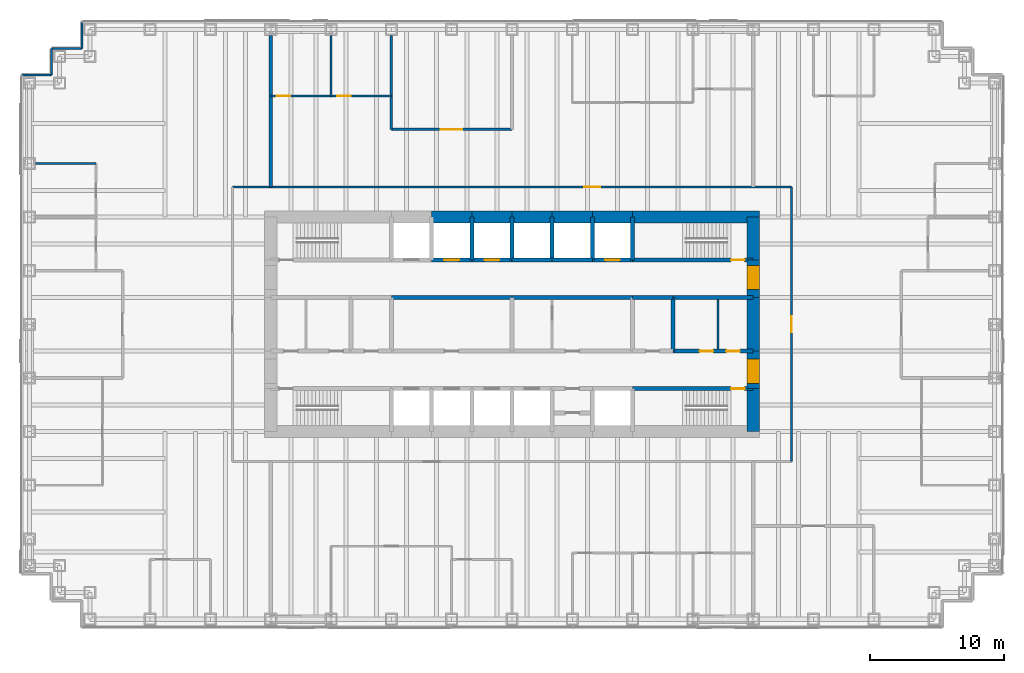
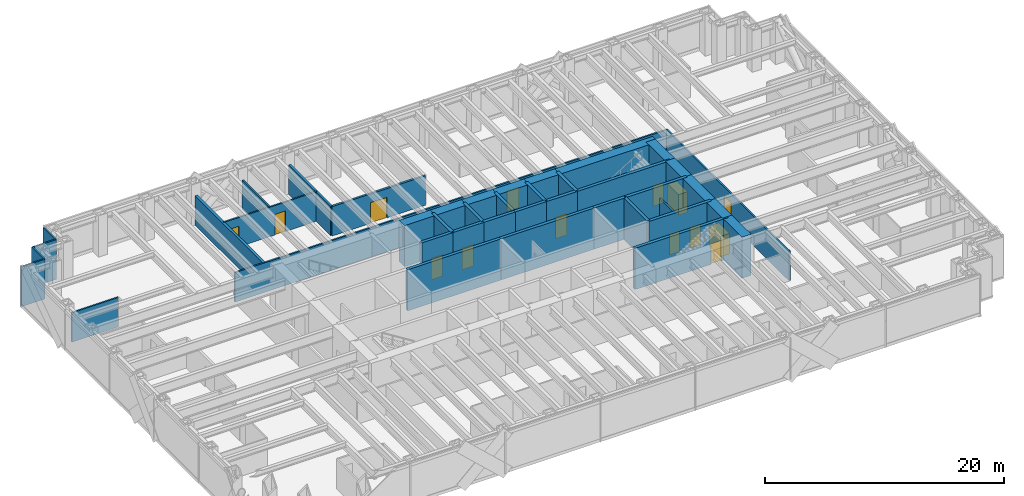
# One storey, part 15 of 17: 42 walls, 14 doors, 14 openings.
"""IFC4 building model written with IfcOpenShell, lengths in metres."""

from ifc_helpers import new_model, si_unit, direction, frame, frame_2d, origin, place, context, subcontext, project, spatial, rectangle, extrude, material, layer, layer_set, type_object, element, fill, save


model = new_model("IFC4")

# Units and contexts
model_context = context("Model", 3, precision=1e-05, world=origin(), true_north=direction((0.0, 1.0)))
body_context = subcontext(model_context, "Body", "Model", "MODEL_VIEW")
ifc_project = project(units=[si_unit("LENGTHUNIT", "METRE"), si_unit("AREAUNIT", "SQUARE_METRE"), si_unit("VOLUMEUNIT", "CUBIC_METRE"), si_unit("PLANEANGLEUNIT", "RADIAN"), si_unit("MASSUNIT", "GRAM", prefix="KILO")], contexts=[model_context])

# Site, building, storey
site_placement = place(None, origin())
site = spatial("IfcSite", under=ifc_project, at=site_placement, CompositionType="ELEMENT")
building_placement = place(site_placement, origin())
building = spatial("IfcBuilding", under=site, at=building_placement, Name="Rheinbord Bourse Tower", CompositionType="ELEMENT")
storey_placement = place(building_placement, frame((0.0, 0.0, 138.300048828125)))
storey = spatial("IfcBuildingStorey", under=building, at=storey_placement, Name="L30", CompositionType="ELEMENT", Elevation=138.300048828125)

# Wall, opening, door
ifc_material_1 = material(Name="Acoustic gypsum board partition", Category="gypsum board")
ifc_layer_1 = layer(ifc_material_1, 0.199951171875)
ifc_layer_set_1 = layer_set([ifc_layer_1], Name="ACOUSTIC PARTITION 200")
wall_type_1 = type_object("IfcWallType", Name="ACOUSTIC PARTITION 200", PredefinedType="PARTITIONING", material=ifc_layer_set_1)
wall_1_placement = place(storey_placement, frame((27.0, 38.550048828125, 0.0), z_axis=(0.0, 0.0, 1.0), x_axis=(1.0, 0.0, 0.0)))
wall_1 = element("IfcWall", 1, at=wall_1_placement, inside=storey, type_object=wall_type_1, Name="Partition L30-18", PredefinedType="PARTITIONING", context=body_context, shape_type="SweptSolid", body=[
    extrude(rectangle(XDim=9.0, YDim=0.199951171875, at=frame_2d((4.5, 0.0))), origin(), (0.0, 0.0, 1.0), 3.0),
])
opening_1_placement = place(wall_1_placement, frame((3.699951171875, 0.0, 0.0)))
opening_1 = element("IfcOpeningElement", 2, at=opening_1_placement, cuts=wall_1, Name="Opening 30D16", PredefinedType="OPENING", context=body_context, shape_type="SweptSolid", body=[
    extrude(rectangle(XDim=1.60009765625, YDim=2.10009765625, at=frame_2d((0.800048828125, 1.050048828125))), frame((0.0, 0.10986328125, 0.0), z_axis=(0.0, -1.0, 0.0), x_axis=(1.0, 0.0, 0.0)), (0.0, 0.0, 1.0), 0.219970703125),
])
ifc_material_2 = material(Name="Timber door", Category="wood")
door_type_1 = type_object("IfcDoorType", Name="DOUBLE ROOM DOOR 1600", OperationType="DOUBLE_DOOR_DOUBLE_SWING", PredefinedType="DOOR", material=ifc_material_2)
door_1_placement = place(opening_1_placement, origin())
door_1 = element("IfcDoor", 3, at=door_1_placement, inside=storey, type_object=door_type_1, Name="Suite boardroom door L30", OperationType="SINGLE_SWING_LEFT", OverallHeight=2.10009765625, OverallWidth=1.60009765625, PredefinedType="DOOR", context=body_context, shape_type="SweptSolid", body=[
    extrude(rectangle(XDim=1.60009765625, YDim=2.10009765625, at=frame_2d((0.800048828125, 1.050048828125))), frame((0.0, 0.02490234375, 0.0), z_axis=(0.0, -1.0, 0.0), x_axis=(1.0, 0.0, 0.0)), (0.0, 0.0, 1.0), 0.050048828125),
])
fill(opening_1, door_1)

# Wall
wall_2_placement = place(storey_placement, frame((27.0, 38.550048828125, 0.0), z_axis=(0.0, 0.0, 1.0), x_axis=(0.0, 1.0, 0.0)))
element("IfcWall", 4, at=wall_2_placement, inside=storey, type_object=wall_type_1, Name="Partition L30-33", PredefinedType="PARTITIONING", context=body_context, shape_type="SweptSolid", body=[
    extrude(rectangle(XDim=7.0, YDim=0.199951171875, at=frame_2d((3.5, 0.0))), origin(), (0.0, 0.0, 1.0), 3.0),
])

# Wall, opening, door
ifc_material_3 = material(Name="Concrete C50/60", Category="concrete")
ifc_layer_2 = layer(ifc_material_3, 0.300048828125)
ifc_layer_set_2 = layer_set([ifc_layer_2], Name="CORE INNER WALL 300")
wall_type_2 = type_object("IfcWallType", Name="CORE INNER WALL 300", PredefinedType="SOLIDWALL", material=ifc_layer_set_2)
wall_3_placement = place(storey_placement, frame((45.0, 19.199951171875, 0.0), z_axis=(0.0, 0.0, 1.0), x_axis=(1.0, 0.0, 0.0)))
wall_3 = element("IfcWall", 5, at=wall_3_placement, inside=storey, type_object=wall_type_2, Name="Core wall A8 L30", PredefinedType="SOLIDWALL", context=body_context, shape_type="SweptSolid", body=[
    extrude(rectangle(XDim=9.0, YDim=0.300048828125, at=frame_2d((4.5, 0.0))), origin(), (0.0, 0.0, 1.0), 4.199951171875),
])
opening_2_placement = place(wall_3_placement, frame((7.35009765625, 0.0, 0.0)))
opening_2 = element("IfcOpeningElement", 6, at=opening_2_placement, cuts=wall_3, Name="Opening 3030", PredefinedType="OPENING", context=body_context, shape_type="SweptSolid", body=[
    extrude(rectangle(XDim=1.0, YDim=2.10009765625, at=frame_2d((0.5, 1.050048828125))), frame((0.0, 0.159912109375, 0.0), z_axis=(0.0, -1.0, 0.0), x_axis=(1.0, 0.0, 0.0)), (0.0, 0.0, 1.0), 0.320068359375),
])
ifc_material_4 = material(Name="Steel door", Category="steel")
door_type_2 = type_object("IfcDoorType", Name="DOOR 1000 EI30", OperationType="SINGLE_SWING_LEFT", PredefinedType="DOOR", material=ifc_material_4)
door_2_placement = place(opening_2_placement, origin())
door_2 = element("IfcDoor", 7, at=door_2_placement, inside=storey, type_object=door_type_2, Name="Stair door ST3 L30", OperationType="SINGLE_SWING_RIGHT", OverallHeight=2.10009765625, OverallWidth=1.0, PredefinedType="DOOR", context=body_context, shape_type="SweptSolid", body=[
    extrude(rectangle(XDim=1.0, YDim=2.10009765625, at=frame_2d((0.5, 1.050048828125))), frame((0.0, 0.02490234375, 0.0), z_axis=(0.0, -1.0, 0.0), x_axis=(1.0, 0.0, 0.0)), (0.0, 0.0, 1.0), 0.050048828125),
])
fill(opening_2, door_2)

wall_4_placement = place(storey_placement, frame((30.0, 28.800048828125, 0.0), z_axis=(0.0, 0.0, 1.0), x_axis=(1.0, 0.0, 0.0)))
wall_4 = element("IfcWall", 8, at=wall_4_placement, inside=storey, type_object=wall_type_2, Name="Core wall B3 L30", PredefinedType="SOLIDWALL", context=body_context, shape_type="SweptSolid", body=[
    extrude(rectangle(XDim=3.0, YDim=0.300048828125, at=frame_2d((1.5, 0.0))), origin(), (0.0, 0.0, 1.0), 4.199951171875),
])
opening_3_placement = place(wall_4_placement, frame((0.949951171875, 0.0, 0.0)))
opening_3 = element("IfcOpeningElement", 9, at=opening_3_placement, cuts=wall_4, Name="Opening PB4", PredefinedType="OPENING", context=body_context, shape_type="SweptSolid", body=[
    extrude(rectangle(XDim=1.10009765625, YDim=2.199951171875, at=frame_2d((0.550048828125, 1.10009765625))), frame((0.0, 0.159912109375, 0.0), z_axis=(0.0, -1.0, 0.0), x_axis=(1.0, 0.0, 0.0)), (0.0, 0.0, 1.0), 0.320068359375),
])
ifc_material_5 = material(Name="Steel landing door", Category="steel")
door_type_3 = type_object("IfcDoorType", Name="LIFT LANDING DOOR 1100", OperationType="DOUBLE_DOOR_SLIDING", PredefinedType="USERDEFINED", material=ifc_material_5)
door_3_placement = place(opening_3_placement, origin())
door_3 = element("IfcDoor", 10, at=door_3_placement, inside=storey, type_object=door_type_3, Name="Lift landing door PB4 L30", ObjectType="LIFT LANDING DOOR", OperationType="DOUBLE_DOOR_SLIDING", OverallHeight=2.199951171875, OverallWidth=1.10009765625, PredefinedType="USERDEFINED", context=body_context, shape_type="SweptSolid", body=[
    extrude(rectangle(XDim=1.10009765625, YDim=2.199951171875, at=frame_2d((0.550048828125, 1.10009765625))), frame((0.0, 0.02490234375, 0.0), z_axis=(0.0, -1.0, 0.0), x_axis=(1.0, 0.0, 0.0)), (0.0, 0.0, 1.0), 0.050048828125),
])
fill(opening_3, door_3)

wall_5_placement = place(storey_placement, frame((33.0, 28.800048828125, 0.0), z_axis=(0.0, 0.0, 1.0), x_axis=(1.0, 0.0, 0.0)))
wall_5 = element("IfcWall", 11, at=wall_5_placement, inside=storey, type_object=wall_type_2, Name="Core wall B4 L30", PredefinedType="SOLIDWALL", context=body_context, shape_type="SweptSolid", body=[
    extrude(rectangle(XDim=3.0, YDim=0.300048828125, at=frame_2d((1.5, 0.0))), origin(), (0.0, 0.0, 1.0), 4.199951171875),
])
opening_4_placement = place(wall_5_placement, frame((0.949951171875, 0.0, 0.0)))
opening_4 = element("IfcOpeningElement", 12, at=opening_4_placement, cuts=wall_5, Name="Opening PB5", PredefinedType="OPENING", context=body_context, shape_type="SweptSolid", body=[
    extrude(rectangle(XDim=1.10009765625, YDim=2.199951171875, at=frame_2d((0.550048828125, 1.10009765625))), frame((0.0, 0.159912109375, 0.0), z_axis=(0.0, -1.0, 0.0), x_axis=(1.0, 0.0, 0.0)), (0.0, 0.0, 1.0), 0.320068359375),
])
door_4_placement = place(opening_4_placement, origin())
door_4 = element("IfcDoor", 13, at=door_4_placement, inside=storey, type_object=door_type_3, Name="Lift landing door PB5 L30", ObjectType="LIFT LANDING DOOR", OperationType="DOUBLE_DOOR_SLIDING", OverallHeight=2.199951171875, OverallWidth=1.10009765625, PredefinedType="USERDEFINED", context=body_context, shape_type="SweptSolid", body=[
    extrude(rectangle(XDim=1.10009765625, YDim=2.199951171875, at=frame_2d((0.550048828125, 1.10009765625))), frame((0.0, 0.02490234375, 0.0), z_axis=(0.0, -1.0, 0.0), x_axis=(1.0, 0.0, 0.0)), (0.0, 0.0, 1.0), 0.050048828125),
])
fill(opening_4, door_4)

# Walls
for number, where, z_axis, x_axis, name in (
    (14, (36.0, 28.800048828125, 0.0), (0.0, 0.0, 1.0), (1.0, 0.0, 0.0), "Core wall B5 L30"),
    (15, (39.0, 28.800048828125, 0.0), (0.0, 0.0, 1.0), (1.0, 0.0, 0.0), "Core wall B6 L30"),
):
    element("IfcWall", number, at=place(storey_placement, frame(where, z_axis=z_axis, x_axis=x_axis)), inside=storey, type_object=wall_type_2, Name=name, PredefinedType="SOLIDWALL", context=body_context, shape_type="SweptSolid", body=[
        extrude(rectangle(XDim=3.0, YDim=0.300048828125, at=frame_2d((1.5, 0.0))), origin(), (0.0, 0.0, 1.0), 4.199951171875),
    ])

# Wall, opening, door
wall_6_placement = place(storey_placement, frame((42.0, 28.800048828125, 0.0), z_axis=(0.0, 0.0, 1.0), x_axis=(1.0, 0.0, 0.0)))
wall_6 = element("IfcWall", 16, at=wall_6_placement, inside=storey, type_object=wall_type_2, Name="Core wall B7 L30", PredefinedType="SOLIDWALL", context=body_context, shape_type="SweptSolid", body=[
    extrude(rectangle(XDim=3.0, YDim=0.300048828125, at=frame_2d((1.5, 0.0))), origin(), (0.0, 0.0, 1.0), 4.199951171875),
])
opening_5_placement = place(wall_6_placement, frame((0.949951171875, 0.0, 0.0)))
opening_5 = element("IfcOpeningElement", 17, at=opening_5_placement, cuts=wall_6, Name="Opening FL2", PredefinedType="OPENING", context=body_context, shape_type="SweptSolid", body=[
    extrude(rectangle(XDim=1.10009765625, YDim=2.199951171875, at=frame_2d((0.550048828125, 1.10009765625))), frame((0.0, 0.159912109375, 0.0), z_axis=(0.0, -1.0, 0.0), x_axis=(1.0, 0.0, 0.0)), (0.0, 0.0, 1.0), 0.320068359375),
])
door_5_placement = place(opening_5_placement, origin())
door_5 = element("IfcDoor", 18, at=door_5_placement, inside=storey, type_object=door_type_3, Name="Lift landing door FL2 L30", ObjectType="LIFT LANDING DOOR", OperationType="DOUBLE_DOOR_SLIDING", OverallHeight=2.199951171875, OverallWidth=1.10009765625, PredefinedType="USERDEFINED", context=body_context, shape_type="SweptSolid", body=[
    extrude(rectangle(XDim=1.10009765625, YDim=2.199951171875, at=frame_2d((0.550048828125, 1.10009765625))), frame((0.0, 0.02490234375, 0.0), z_axis=(0.0, -1.0, 0.0), x_axis=(1.0, 0.0, 0.0)), (0.0, 0.0, 1.0), 0.050048828125),
])
fill(opening_5, door_5)

wall_7_placement = place(storey_placement, frame((45.0, 28.800048828125, 0.0), z_axis=(0.0, 0.0, 1.0), x_axis=(1.0, 0.0, 0.0)))
wall_7 = element("IfcWall", 19, at=wall_7_placement, inside=storey, type_object=wall_type_2, Name="Core wall B8 L30", PredefinedType="SOLIDWALL", context=body_context, shape_type="SweptSolid", body=[
    extrude(rectangle(XDim=9.0, YDim=0.300048828125, at=frame_2d((4.5, 0.0))), origin(), (0.0, 0.0, 1.0), 4.199951171875),
])
opening_6_placement = place(wall_7_placement, frame((7.35009765625, 0.0, 0.0)))
opening_6 = element("IfcOpeningElement", 20, at=opening_6_placement, cuts=wall_7, Name="Opening 3040", PredefinedType="OPENING", context=body_context, shape_type="SweptSolid", body=[
    extrude(rectangle(XDim=1.0, YDim=2.10009765625, at=frame_2d((0.5, 1.050048828125))), frame((0.0, 0.159912109375, 0.0), z_axis=(0.0, -1.0, 0.0), x_axis=(1.0, 0.0, 0.0)), (0.0, 0.0, 1.0), 0.320068359375),
])
door_6_placement = place(opening_6_placement, origin())
door_6 = element("IfcDoor", 21, at=door_6_placement, inside=storey, type_object=door_type_2, Name="Stair door ST4 L30", OperationType="SINGLE_SWING_RIGHT", OverallHeight=2.10009765625, OverallWidth=1.0, PredefinedType="DOOR", context=body_context, shape_type="SweptSolid", body=[
    extrude(rectangle(XDim=1.0, YDim=2.10009765625, at=frame_2d((0.5, 1.050048828125))), frame((0.0, 0.02490234375, 0.0), z_axis=(0.0, -1.0, 0.0), x_axis=(1.0, 0.0, 0.0)), (0.0, 0.0, 1.0), 0.050048828125),
])
fill(opening_6, door_6)

# Wall, openings, doors
wall_8_placement = place(storey_placement, frame((48.0, 22.0, 0.0), z_axis=(0.0, 0.0, 1.0), x_axis=(1.0, 0.0, 0.0)))
wall_8 = element("IfcWall", 22, at=wall_8_placement, inside=storey, type_object=wall_type_2, Name="Core wall C6 L30", PredefinedType="SOLIDWALL", context=body_context, shape_type="SweptSolid", body=[
    extrude(rectangle(XDim=6.0, YDim=0.300048828125, at=frame_2d((3.0, 0.0))), origin(), (0.0, 0.0, 1.0), 4.199951171875),
])
opening_7_placement = place(wall_8_placement, frame((2.0, 0.0, 0.0)))
opening_7 = element("IfcOpeningElement", 23, at=opening_7_placement, cuts=wall_8, Name="Opening 30R6", PredefinedType="OPENING", context=body_context, shape_type="SweptSolid", body=[
    extrude(rectangle(XDim=1.0, YDim=2.10009765625, at=frame_2d((0.5, 1.050048828125))), frame((0.0, 0.159912109375, 0.0), z_axis=(0.0, -1.0, 0.0), x_axis=(1.0, 0.0, 0.0)), (0.0, 0.0, 1.0), 0.320068359375),
])
opening_8_placement = place(wall_8_placement, frame((4.0, 0.0, 0.0)))
opening_8 = element("IfcOpeningElement", 24, at=opening_8_placement, cuts=wall_8, Name="Opening 30R10", PredefinedType="OPENING", context=body_context, shape_type="SweptSolid", body=[
    extrude(rectangle(XDim=1.0, YDim=2.10009765625, at=frame_2d((0.5, 1.050048828125))), frame((0.0, 0.159912109375, 0.0), z_axis=(0.0, -1.0, 0.0), x_axis=(1.0, 0.0, 0.0)), (0.0, 0.0, 1.0), 0.320068359375),
])
door_7_placement = place(opening_8_placement, origin())
door_7 = element("IfcDoor", 25, at=door_7_placement, inside=storey, type_object=door_type_2, Name="Staff shower door L30", OperationType="SINGLE_SWING_RIGHT", OverallHeight=2.10009765625, OverallWidth=1.0, PredefinedType="DOOR", context=body_context, shape_type="SweptSolid", body=[
    extrude(rectangle(XDim=1.0, YDim=2.10009765625, at=frame_2d((0.5, 1.050048828125))), frame((0.0, 0.02490234375, 0.0), z_axis=(0.0, -1.0, 0.0), x_axis=(1.0, 0.0, 0.0)), (0.0, 0.0, 1.0), 0.050048828125),
])
fill(opening_8, door_7)
ifc_material_6 = material(Name="Timber door", Category="wood")
door_type_4 = type_object("IfcDoorType", Name="DOOR 1000 WC", OperationType="SINGLE_SWING_LEFT", PredefinedType="DOOR", material=ifc_material_6)
door_8_placement = place(opening_7_placement, origin())
door_8 = element("IfcDoor", 26, at=door_8_placement, inside=storey, type_object=door_type_4, Name="WC women door L30", OperationType="SINGLE_SWING_LEFT", OverallHeight=2.10009765625, OverallWidth=1.0, PredefinedType="DOOR", context=body_context, shape_type="SweptSolid", body=[
    extrude(rectangle(XDim=1.0, YDim=2.10009765625, at=frame_2d((0.5, 1.050048828125))), frame((0.0, 0.02490234375, 0.0), z_axis=(0.0, -1.0, 0.0), x_axis=(1.0, 0.0, 0.0)), (0.0, 0.0, 1.0), 0.050048828125),
])
fill(opening_7, door_8)

# Walls
for number, where, z_axis, x_axis, name in (
    (27, (27.0, 26.0, 0.0), (0.0, 0.0, 1.0), (1.0, 0.0, 0.0), "Core wall D3 L30"),
    (28, (36.0, 26.0, 0.0), (0.0, 0.0, 1.0), (1.0, 0.0, 0.0), "Core wall D4 L30"),
):
    element("IfcWall", number, at=place(storey_placement, frame(where, z_axis=z_axis, x_axis=x_axis)), inside=storey, type_object=wall_type_2, Name=name, PredefinedType="SOLIDWALL", context=body_context, shape_type="SweptSolid", body=[
        extrude(rectangle(XDim=9.0, YDim=0.300048828125, at=frame_2d((4.5, 0.0))), origin(), (0.0, 0.0, 1.0), 4.199951171875),
    ])
wall_9_placement = place(storey_placement, frame((45.0, 26.0, 0.0), z_axis=(0.0, 0.0, 1.0), x_axis=(1.0, 0.0, 0.0)))
element("IfcWall", 29, at=wall_9_placement, inside=storey, type_object=wall_type_2, Name="Core wall D5 L30", PredefinedType="SOLIDWALL", context=body_context, shape_type="SweptSolid", body=[
    extrude(rectangle(XDim=3.0, YDim=0.300048828125, at=frame_2d((1.5, 0.0))), origin(), (0.0, 0.0, 1.0), 4.199951171875),
])
wall_10_placement = place(storey_placement, frame((48.0, 26.0, 0.0), z_axis=(0.0, 0.0, 1.0), x_axis=(1.0, 0.0, 0.0)))
element("IfcWall", 30, at=wall_10_placement, inside=storey, type_object=wall_type_2, Name="Core wall D6 L30", PredefinedType="SOLIDWALL", context=body_context, shape_type="SweptSolid", body=[
    extrude(rectangle(XDim=6.0, YDim=0.300048828125, at=frame_2d((3.0, 0.0))), origin(), (0.0, 0.0, 1.0), 4.199951171875),
])
for number, where, z_axis, x_axis, name in (
    (31, (33.0, 28.800048828125, 0.0), (0.0, 0.0, 1.0), (0.0, 1.0, 0.0), "Core wall NX33 L30"),
    (32, (36.0, 28.800048828125, 0.0), (0.0, 0.0, 1.0), (0.0, 1.0, 0.0), "Core wall NX36 L30"),
    (33, (39.0, 28.800048828125, 0.0), (0.0, 0.0, 1.0), (0.0, 1.0, 0.0), "Core wall NX39 L30"),
    (34, (42.0, 28.800048828125, 0.0), (0.0, 0.0, 1.0), (0.0, 1.0, 0.0), "Core wall NX42 L30"),
    (35, (45.0, 28.800048828125, 0.0), (0.0, 0.0, 1.0), (0.0, 1.0, 0.0), "Core wall NX45 L30"),
):
    element("IfcWall", number, at=place(storey_placement, frame(where, z_axis=z_axis, x_axis=x_axis)), inside=storey, type_object=wall_type_2, Name=name, PredefinedType="SOLIDWALL", context=body_context, shape_type="SweptSolid", body=[
        extrude(rectangle(XDim=3.199951171875, YDim=0.300048828125, at=frame_2d((1.60009765625, 0.0))), origin(), (0.0, 0.0, 1.0), 4.199951171875),
    ])
wall_11_placement = place(storey_placement, frame((48.0, 22.0, 0.0), z_axis=(0.0, 0.0, 1.0), x_axis=(0.0, 1.0, 0.0)))
element("IfcWall", 36, at=wall_11_placement, inside=storey, type_object=wall_type_2, Name="Core wall MX48 L30", PredefinedType="SOLIDWALL", context=body_context, shape_type="SweptSolid", body=[
    extrude(rectangle(XDim=4.0, YDim=0.300048828125, at=frame_2d((2.0, 0.0))), origin(), (0.0, 0.0, 1.0), 4.199951171875),
])
ifc_material_7 = material(Name="Gypsum board fire partition", Category="gypsum board")
ifc_layer_3 = layer(ifc_material_7, 0.14990234375)
ifc_layer_set_3 = layer_set([ifc_layer_3], Name="CORE PARTITION 150 EI30")
wall_type_3 = type_object("IfcWallType", Name="CORE PARTITION 150 EI30", PredefinedType="PARTITIONING", material=ifc_layer_set_3)
wall_12_placement = place(storey_placement, frame((51.375, 22.14990234375, 0.0), z_axis=(0.0, 0.0, 1.0), x_axis=(0.0, 1.0, 0.0)))
element("IfcWall", 37, at=wall_12_placement, inside=storey, type_object=wall_type_3, Name="Core partition L30-3", PredefinedType="PARTITIONING", context=body_context, shape_type="SweptSolid", body=[
    extrude(rectangle(XDim=3.7001953125, YDim=0.14990234375, at=frame_2d((1.85009765625, 0.0))), origin(), (0.0, 0.0, 1.0), 3.0),
])
ifc_material_8 = material(Name="Concrete C50/60", Category="concrete")
ifc_layer_4 = layer(ifc_material_8, 0.89990234375)
ifc_layer_set_4 = layer_set([ifc_layer_4], Name="CORE WALL 900")
wall_type_4 = type_object("IfcWallType", Name="CORE WALL 900", PredefinedType="SHEAR", material=ifc_layer_set_4)
wall_13_placement = place(storey_placement, frame((54.449951171875, 32.0, 0.0), z_axis=(0.0, 0.0, 1.0), x_axis=(-1.0, 0.0, 0.0)))
element("IfcWall", 38, at=wall_13_placement, inside=storey, type_object=wall_type_4, Name="Core wall N1 L30", PredefinedType="SHEAR", context=body_context, shape_type="SweptSolid", body=[
    extrude(rectangle(XDim=9.449951171875, YDim=0.89990234375, at=frame_2d((4.72509765625, 0.0))), origin(), (0.0, 0.0, 1.0), 4.199951171875),
])
for number, where, z_axis, x_axis, name in (
    (39, (45.0, 32.0, 0.0), (0.0, 0.0, 1.0), (-1.0, 0.0, 0.0), "Core wall N2 L30"),
    (40, (42.0, 32.0, 0.0), (0.0, 0.0, 1.0), (-1.0, 0.0, 0.0), "Core wall N3 L30"),
    (41, (39.0, 32.0, 0.0), (0.0, 0.0, 1.0), (-1.0, 0.0, 0.0), "Core wall N4 L30"),
    (42, (36.0, 32.0, 0.0), (0.0, 0.0, 1.0), (-1.0, 0.0, 0.0), "Core wall N5 L30"),
    (43, (33.0, 32.0, 0.0), (0.0, 0.0, 1.0), (-1.0, 0.0, 0.0), "Core wall N6 L30"),
):
    element("IfcWall", number, at=place(storey_placement, frame(where, z_axis=z_axis, x_axis=x_axis)), inside=storey, type_object=wall_type_4, Name=name, PredefinedType="SHEAR", context=body_context, shape_type="SweptSolid", body=[
        extrude(rectangle(XDim=3.0, YDim=0.89990234375, at=frame_2d((1.5, 0.0))), origin(), (0.0, 0.0, 1.0), 4.199951171875),
    ])
wall_14_placement = place(storey_placement, frame((54.0, 16.0, 0.0), z_axis=(0.0, 0.0, 1.0), x_axis=(0.0, 1.0, 0.0)))
element("IfcWall", 44, at=wall_14_placement, inside=storey, type_object=wall_type_4, Name="Core wall E1 L30", PredefinedType="SHEAR", context=body_context, shape_type="SweptSolid", body=[
    extrude(rectangle(XDim=3.199951171875, YDim=0.89990234375, at=frame_2d((1.60009765625, 0.0))), origin(), (0.0, 0.0, 1.0), 4.199951171875),
])

# Wall, opening, door
wall_15_placement = place(storey_placement, frame((54.0, 19.199951171875, 0.0), z_axis=(0.0, 0.0, 1.0), x_axis=(0.0, 1.0, 0.0)))
wall_15 = element("IfcWall", 45, at=wall_15_placement, inside=storey, type_object=wall_type_4, Name="Core wall E2 L30", PredefinedType="SHEAR", context=body_context, shape_type="SweptSolid", body=[
    extrude(rectangle(XDim=2.800048828125, YDim=0.89990234375, at=frame_2d((1.39990234375, 0.0))), origin(), (0.0, 0.0, 1.0), 4.199951171875),
])
opening_9_placement = place(wall_15_placement, frame((0.39990234375, 0.0, 0.0)))
opening_9 = element("IfcOpeningElement", 46, at=opening_9_placement, cuts=wall_15, Name="Opening 30L3", PredefinedType="OPENING", context=body_context, shape_type="SweptSolid", body=[
    extrude(rectangle(XDim=1.800048828125, YDim=2.10009765625, at=frame_2d((0.89990234375, 1.050048828125))), frame((0.0, 0.4599609375, 0.0), z_axis=(0.0, -1.0, 0.0), x_axis=(1.0, 0.0, 0.0)), (0.0, 0.0, 1.0), 0.919921875),
])
ifc_material_9 = material(Name="Steel door", Category="steel")
door_type_5 = type_object("IfcDoorType", Name="DOOR 1800 EI30 DOUBLE", OperationType="DOUBLE_DOOR_DOUBLE_SWING", PredefinedType="DOOR", material=ifc_material_9)
door_9_placement = place(opening_9_placement, origin())
door_9 = element("IfcDoor", 47, at=door_9_placement, inside=storey, type_object=door_type_5, Name="Lobby door 3 L30", OperationType="SINGLE_SWING_LEFT", OverallHeight=2.10009765625, OverallWidth=1.800048828125, PredefinedType="DOOR", context=body_context, shape_type="SweptSolid", body=[
    extrude(rectangle(XDim=1.800048828125, YDim=2.10009765625, at=frame_2d((0.89990234375, 1.050048828125))), frame((0.0, 0.44970703125, 0.0), z_axis=(0.0, -1.0, 0.0), x_axis=(1.0, 0.0, 0.0)), (0.0, 0.0, 1.0), 0.8994140625),
])
fill(opening_9, door_9)

# Wall
wall_16_placement = place(storey_placement, frame((54.0, 22.0, 0.0), z_axis=(0.0, 0.0, 1.0), x_axis=(0.0, 1.0, 0.0)))
element("IfcWall", 48, at=wall_16_placement, inside=storey, type_object=wall_type_4, Name="Core wall E3 L30", PredefinedType="SHEAR", context=body_context, shape_type="SweptSolid", body=[
    extrude(rectangle(XDim=4.0, YDim=0.89990234375, at=frame_2d((2.0, 0.0))), origin(), (0.0, 0.0, 1.0), 4.199951171875),
])

# Wall, opening, door
wall_17_placement = place(storey_placement, frame((54.0, 26.0, 0.0), z_axis=(0.0, 0.0, 1.0), x_axis=(0.0, 1.0, 0.0)))
wall_17 = element("IfcWall", 49, at=wall_17_placement, inside=storey, type_object=wall_type_4, Name="Core wall E4 L30", PredefinedType="SHEAR", context=body_context, shape_type="SweptSolid", body=[
    extrude(rectangle(XDim=2.800048828125, YDim=0.89990234375, at=frame_2d((1.39990234375, 0.0))), origin(), (0.0, 0.0, 1.0), 4.199951171875),
])
opening_10_placement = place(wall_17_placement, frame((0.60009765625, 0.0, 0.0)))
opening_10 = element("IfcOpeningElement", 50, at=opening_10_placement, cuts=wall_17, Name="Opening 30L4", PredefinedType="OPENING", context=body_context, shape_type="SweptSolid", body=[
    extrude(rectangle(XDim=1.800048828125, YDim=2.10009765625, at=frame_2d((0.89990234375, 1.050048828125))), frame((0.0, 0.4599609375, 0.0), z_axis=(0.0, -1.0, 0.0), x_axis=(1.0, 0.0, 0.0)), (0.0, 0.0, 1.0), 0.919921875),
])
door_10_placement = place(opening_10_placement, origin())
door_10 = element("IfcDoor", 51, at=door_10_placement, inside=storey, type_object=door_type_5, Name="Lobby door 4 L30", OperationType="SINGLE_SWING_LEFT", OverallHeight=2.10009765625, OverallWidth=1.800048828125, PredefinedType="DOOR", context=body_context, shape_type="SweptSolid", body=[
    extrude(rectangle(XDim=1.800048828125, YDim=2.10009765625, at=frame_2d((0.89990234375, 1.050048828125))), frame((0.0, 0.44970703125, 0.0), z_axis=(0.0, -1.0, 0.0), x_axis=(1.0, 0.0, 0.0)), (0.0, 0.0, 1.0), 0.8994140625),
])
fill(opening_10, door_10)

# Walls
wall_18_placement = place(storey_placement, frame((54.0, 28.800048828125, 0.0), z_axis=(0.0, 0.0, 1.0), x_axis=(0.0, 1.0, 0.0)))
element("IfcWall", 52, at=wall_18_placement, inside=storey, type_object=wall_type_4, Name="Core wall E5 L30", PredefinedType="SHEAR", context=body_context, shape_type="SweptSolid", body=[
    extrude(rectangle(XDim=3.199951171875, YDim=0.89990234375, at=frame_2d((1.60009765625, 0.0))), origin(), (0.0, 0.0, 1.0), 4.199951171875),
])
ifc_material_10 = material(Name="Black metal rainscreen panel", Category="aluminium")
ifc_layer_5 = layer(ifc_material_10, 0.14990234375)
ifc_layer_set_5 = layer_set([ifc_layer_5], Name="CORNER PIER CLADDING 150")
wall_type_5 = type_object("IfcWallType", Name="CORNER PIER CLADDING 150", PredefinedType="ELEMENTEDWALL", material=ifc_layer_set_5)
wall_19_placement = place(storey_placement, frame((3.89990234375, 46.60009765625, 0.0), z_axis=(0.0, 0.0, 1.0), x_axis=(0.0, -1.0, 0.0)))
element("IfcWall", 53, at=wall_19_placement, inside=storey, type_object=wall_type_5, Name="Corner pier cladding L30 12", PredefinedType="ELEMENTEDWALL", context=body_context, shape_type="SweptSolid", body=[
    extrude(rectangle(XDim=2.0, YDim=0.14990234375, at=frame_2d((1.0, 0.0))), origin(), (0.0, 0.0, 1.0), 4.0400390625),
])
wall_20_placement = place(storey_placement, frame((3.89990234375, 44.60009765625, 0.0), z_axis=(0.0, 0.0, 1.0), x_axis=(-1.0, 0.0, 0.0)))
element("IfcWall", 54, at=wall_20_placement, inside=storey, type_object=wall_type_5, Name="Corner pier cladding L30 13", PredefinedType="ELEMENTEDWALL", context=body_context, shape_type="SweptSolid", body=[
    extrude(rectangle(XDim=2.25, YDim=0.14990234375, at=frame_2d((1.125, 0.0))), origin(), (0.0, 0.0, 1.0), 4.0400390625),
])
wall_21_placement = place(storey_placement, frame((1.64990234375, 44.60009765625, 0.0), z_axis=(0.0, 0.0, 1.0), x_axis=(0.0, -1.0, 0.0)))
element("IfcWall", 55, at=wall_21_placement, inside=storey, type_object=wall_type_5, Name="Corner pier cladding L30 14", PredefinedType="ELEMENTEDWALL", context=body_context, shape_type="SweptSolid", body=[
    extrude(rectangle(XDim=2.0, YDim=0.14990234375, at=frame_2d((1.0, 0.0))), origin(), (0.0, 0.0, 1.0), 4.0400390625),
])
wall_22_placement = place(storey_placement, frame((1.64990234375, 42.60009765625, 0.0), z_axis=(0.0, 0.0, 1.0), x_axis=(-1.0, 0.0, 0.0)))
element("IfcWall", 56, at=wall_22_placement, inside=storey, type_object=wall_type_5, Name="Corner pier cladding L30 15", PredefinedType="ELEMENTEDWALL", context=body_context, shape_type="SweptSolid", body=[
    extrude(rectangle(XDim=2.25, YDim=0.14990234375, at=frame_2d((1.125, 0.0))), origin(), (0.0, 0.0, 1.0), 4.0400390625),
])

# Wall, opening, door
ifc_material_11 = material(Name="Gypsum board corridor partition", Category="gypsum board")
ifc_layer_6 = layer(ifc_material_11, 0.14990234375)
ifc_layer_set_6 = layer_set([ifc_layer_6], Name="CORRIDOR PARTITION 150 EI30")
wall_type_6 = type_object("IfcWallType", Name="CORRIDOR PARTITION 150 EI30", PredefinedType="PARTITIONING", material=ifc_layer_set_6)
wall_23_placement = place(storey_placement, frame((15.14990234375, 34.25, 0.0), z_axis=(0.0, 0.0, 1.0), x_axis=(1.0, 0.0, 0.0)))
wall_23 = element("IfcWall", 57, at=wall_23_placement, inside=storey, type_object=wall_type_6, Name="Partition L30-15", PredefinedType="PARTITIONING", context=body_context, shape_type="SweptSolid", body=[
    extrude(rectangle(XDim=41.7001953125, YDim=0.14990234375, at=frame_2d((20.85009765625, 0.0))), origin(), (0.0, 0.0, 1.0), 3.0),
])
opening_11_placement = place(wall_23_placement, frame((26.25, 0.0, 0.0)))
opening_11 = element("IfcOpeningElement", 58, at=opening_11_placement, cuts=wall_23, Name="Opening 30D24", PredefinedType="OPENING", context=body_context, shape_type="SweptSolid", body=[
    extrude(rectangle(XDim=1.199951171875, YDim=2.10009765625, at=frame_2d((0.60009765625, 1.050048828125))), frame((0.0, 0.0849609375, 0.0), z_axis=(0.0, -1.0, 0.0), x_axis=(1.0, 0.0, 0.0)), (0.0, 0.0, 1.0), 0.169921875),
])
ifc_material_12 = material(Name="Timber fire door", Category="wood")
door_type_6 = type_object("IfcDoorType", Name="SUITE ENTRANCE DOOR 1200 EI30", OperationType="SINGLE_SWING_LEFT", PredefinedType="DOOR", material=ifc_material_12)
door_11_placement = place(opening_11_placement, origin())
door_11 = element("IfcDoor", 59, at=door_11_placement, inside=storey, type_object=door_type_6, Name="Suite entrance 3 door L30", OperationType="SINGLE_SWING_RIGHT", OverallHeight=2.10009765625, OverallWidth=1.199951171875, PredefinedType="DOOR", context=body_context, shape_type="SweptSolid", body=[
    extrude(rectangle(XDim=1.199951171875, YDim=2.10009765625, at=frame_2d((0.60009765625, 1.050048828125))), frame((0.0, 0.02490234375, 0.0), z_axis=(0.0, -1.0, 0.0), x_axis=(1.0, 0.0, 0.0)), (0.0, 0.0, 1.0), 0.050048828125),
])
fill(opening_11, door_11)

wall_24_placement = place(storey_placement, frame((56.85009765625, 13.75, 0.0), z_axis=(0.0, 0.0, 1.0), x_axis=(0.0, 1.0, 0.0)))
wall_24 = element("IfcWall", 60, at=wall_24_placement, inside=storey, type_object=wall_type_6, Name="Partition L30-46", PredefinedType="PARTITIONING", context=body_context, shape_type="SweptSolid", body=[
    extrude(rectangle(XDim=20.5, YDim=0.14990234375, at=frame_2d((10.25, 0.0))), origin(), (0.0, 0.0, 1.0), 3.0),
])
opening_12_placement = place(wall_24_placement, frame((9.64990234375, 0.0, 0.0)))
opening_12 = element("IfcOpeningElement", 61, at=opening_12_placement, cuts=wall_24, Name="Opening 30D25", PredefinedType="OPENING", context=body_context, shape_type="SweptSolid", body=[
    extrude(rectangle(XDim=1.199951171875, YDim=2.10009765625, at=frame_2d((0.60009765625, 1.050048828125))), frame((0.0, 0.0849609375, 0.0), z_axis=(0.0, -1.0, 0.0), x_axis=(1.0, 0.0, 0.0)), (0.0, 0.0, 1.0), 0.169921875),
])
door_12_placement = place(opening_12_placement, origin())
door_12 = element("IfcDoor", 62, at=door_12_placement, inside=storey, type_object=door_type_6, Name="Suite entrance 4 door L30", OperationType="SINGLE_SWING_LEFT", OverallHeight=2.10009765625, OverallWidth=1.199951171875, PredefinedType="DOOR", context=body_context, shape_type="SweptSolid", body=[
    extrude(rectangle(XDim=1.199951171875, YDim=2.10009765625, at=frame_2d((0.60009765625, 1.050048828125))), frame((0.0, 0.02490234375, 0.0), z_axis=(0.0, -1.0, 0.0), x_axis=(1.0, 0.0, 0.0)), (0.0, 0.0, 1.0), 0.050048828125),
])
fill(opening_12, door_12)

# Walls
ifc_material_13 = material(Name="Gypsum board tenancy wall", Category="gypsum board")
ifc_layer_7 = layer(ifc_material_13, 0.25)
ifc_layer_set_7 = layer_set([ifc_layer_7], Name="DEMISING PARTITION 250 EI60")
wall_type_7 = type_object("IfcWallType", Name="DEMISING PARTITION 250 EI60", PredefinedType="PARTITIONING", material=ifc_layer_set_7)
wall_25_placement = place(storey_placement, frame((18.0, 34.25, 0.0), z_axis=(0.0, 0.0, 1.0), x_axis=(0.0, 1.0, 0.0)))
element("IfcWall", 63, at=wall_25_placement, inside=storey, type_object=wall_type_7, Name="Partition L30-30", PredefinedType="PARTITIONING", context=body_context, shape_type="SweptSolid", body=[
    extrude(rectangle(XDim=11.300048828125, YDim=0.25, at=frame_2d((5.64990234375, 0.0))), origin(), (0.0, 0.0, 1.0), 3.0),
])
ifc_material_14 = material(Name="Gypsum board partition", Category="gypsum board")
ifc_layer_8 = layer(ifc_material_14, 0.14990234375)
ifc_layer_set_8 = layer_set([ifc_layer_8], Name="PARTITION 150")
wall_type_8 = type_object("IfcWallType", Name="PARTITION 150", PredefinedType="PARTITIONING", material=ifc_layer_set_8)
wall_26_placement = place(storey_placement, frame((0.449951171875, 36.0, 0.0), z_axis=(0.0, 0.0, 1.0), x_axis=(1.0, 0.0, 0.0)))
element("IfcWall", 64, at=wall_26_placement, inside=storey, type_object=wall_type_8, Name="Partition L30-16", PredefinedType="PARTITIONING", context=body_context, shape_type="SweptSolid", body=[
    extrude(rectangle(XDim=4.5, YDim=0.14990234375, at=frame_2d((2.25, 0.0))), origin(), (0.0, 0.0, 1.0), 3.0),
])

# Wall, openings, doors
wall_27_placement = place(storey_placement, frame((18.0, 41.050048828125, 0.0), z_axis=(0.0, 0.0, 1.0), x_axis=(1.0, 0.0, 0.0)))
wall_27 = element("IfcWall", 65, at=wall_27_placement, inside=storey, type_object=wall_type_8, Name="Partition L30-20", PredefinedType="PARTITIONING", context=body_context, shape_type="SweptSolid", body=[
    extrude(rectangle(XDim=9.0, YDim=0.14990234375, at=frame_2d((4.5, 0.0))), origin(), (0.0, 0.0, 1.0), 3.0),
])
opening_13_placement = place(wall_27_placement, frame((0.449951171875, 0.0, 0.0)))
opening_13 = element("IfcOpeningElement", 66, at=opening_13_placement, cuts=wall_27, Name="Opening 30D18", PredefinedType="OPENING", context=body_context, shape_type="SweptSolid", body=[
    extrude(rectangle(XDim=1.0, YDim=2.10009765625, at=frame_2d((0.5, 1.050048828125))), frame((0.0, 0.0849609375, 0.0), z_axis=(0.0, -1.0, 0.0), x_axis=(1.0, 0.0, 0.0)), (0.0, 0.0, 1.0), 0.169921875),
])
opening_14_placement = place(wall_27_placement, frame((4.949951171875, 0.0, 0.0)))
opening_14 = element("IfcOpeningElement", 67, at=opening_14_placement, cuts=wall_27, Name="Opening 30D19", PredefinedType="OPENING", context=body_context, shape_type="SweptSolid", body=[
    extrude(rectangle(XDim=1.0, YDim=2.10009765625, at=frame_2d((0.5, 1.050048828125))), frame((0.0, 0.0849609375, 0.0), z_axis=(0.0, -1.0, 0.0), x_axis=(1.0, 0.0, 0.0)), (0.0, 0.0, 1.0), 0.169921875),
])
ifc_material_15 = material(Name="Timber door", Category="wood")
door_type_7 = type_object("IfcDoorType", Name="ROOM DOOR 1000", OperationType="SINGLE_SWING_LEFT", PredefinedType="DOOR", material=ifc_material_15)
door_13_placement = place(opening_13_placement, origin())
door_13 = element("IfcDoor", 68, at=door_13_placement, inside=storey, type_object=door_type_7, Name="Office door L30", OperationType="SINGLE_SWING_LEFT", OverallHeight=2.10009765625, OverallWidth=1.0, PredefinedType="DOOR", context=body_context, shape_type="SweptSolid", body=[
    extrude(rectangle(XDim=1.0, YDim=2.10009765625, at=frame_2d((0.5, 1.050048828125))), frame((0.0, 0.02490234375, 0.0), z_axis=(0.0, -1.0, 0.0), x_axis=(1.0, 0.0, 0.0)), (0.0, 0.0, 1.0), 0.050048828125),
])
fill(opening_13, door_13)
door_14_placement = place(opening_14_placement, origin())
door_14 = element("IfcDoor", 69, at=door_14_placement, inside=storey, type_object=door_type_7, Name="Office door L30", OperationType="SINGLE_SWING_RIGHT", OverallHeight=2.10009765625, OverallWidth=1.0, PredefinedType="DOOR", context=body_context, shape_type="SweptSolid", body=[
    extrude(rectangle(XDim=1.0, YDim=2.10009765625, at=frame_2d((0.5, 1.050048828125))), frame((0.0, 0.02490234375, 0.0), z_axis=(0.0, -1.0, 0.0), x_axis=(1.0, 0.0, 0.0)), (0.0, 0.0, 1.0), 0.050048828125),
])
fill(opening_14, door_14)

# Wall
wall_28_placement = place(storey_placement, frame((22.5, 41.050048828125, 0.0), z_axis=(0.0, 0.0, 1.0), x_axis=(0.0, 1.0, 0.0)))
element("IfcWall", 70, at=wall_28_placement, inside=storey, type_object=wall_type_8, Name="Partition L30-32", PredefinedType="PARTITIONING", context=body_context, shape_type="SweptSolid", body=[
    extrude(rectangle(XDim=4.5, YDim=0.14990234375, at=frame_2d((2.25, 0.0))), origin(), (0.0, 0.0, 1.0), 3.0),
])

save(model, "model.ifc")
